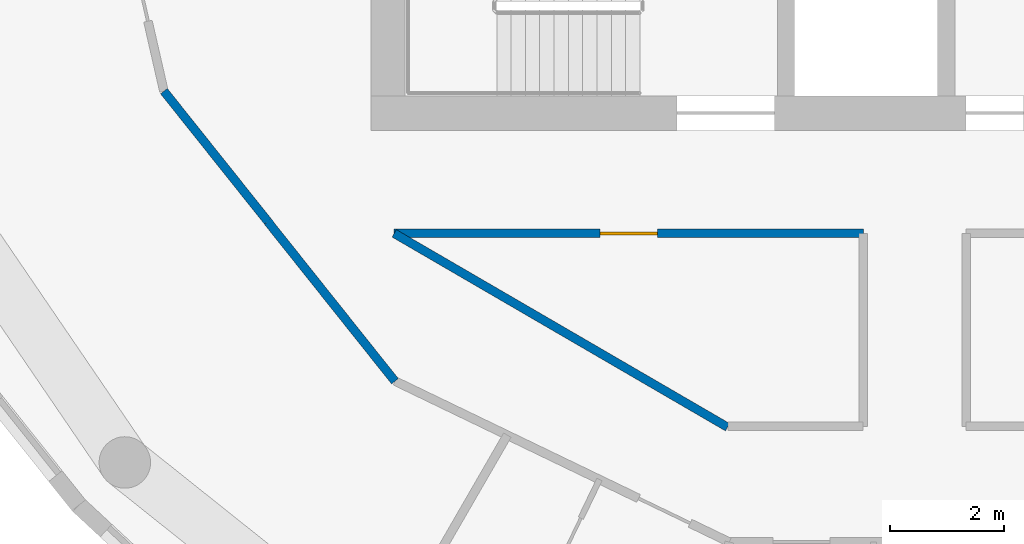
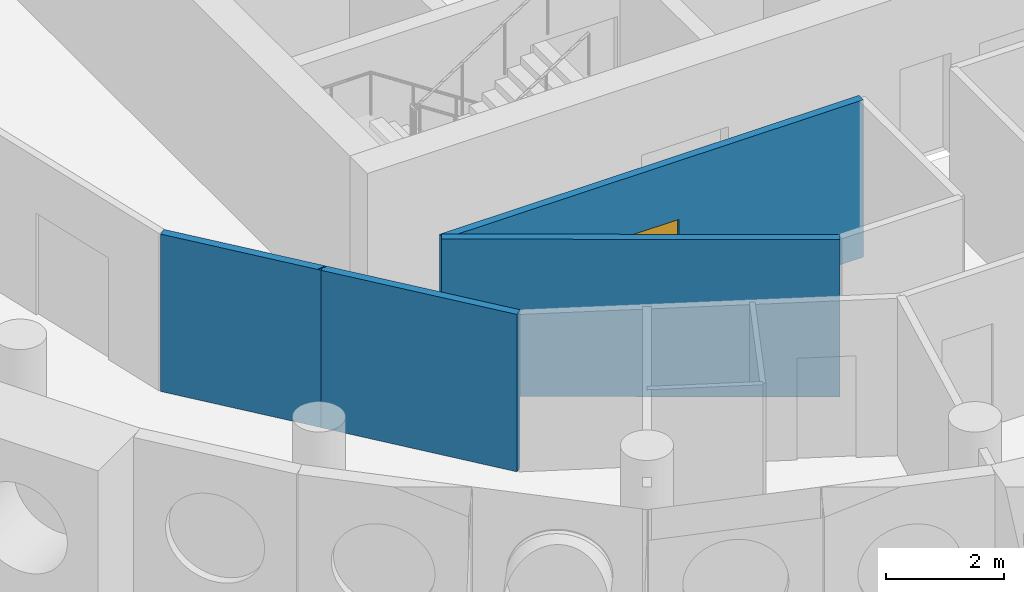
# One storey, part 3 of 13: 5 walls, 1 door, 1 opening.
"""IFC4 building model written with IfcOpenShell, lengths in metres."""

from ifc_helpers import new_model, si_unit, direction, frame, frame_2d, origin, place, context, subcontext, project, spatial, rectangle, extrude, material, layer, layer_set, type_object, element, fill, save


model = new_model("IFC4")

# Units and contexts
model_context = context("Model", 3, precision=1e-05, world=origin(), true_north=direction((0.0, 1.0)))
body_context = subcontext(model_context, "Body", "Model", "MODEL_VIEW")
ifc_project = project(units=[si_unit("LENGTHUNIT", "METRE"), si_unit("AREAUNIT", "SQUARE_METRE"), si_unit("VOLUMEUNIT", "CUBIC_METRE"), si_unit("PLANEANGLEUNIT", "RADIAN"), si_unit("MASSUNIT", "GRAM", prefix="KILO")], contexts=[model_context])

# Site, building, storey
site_placement = place(None, origin())
site = spatial("IfcSite", under=ifc_project, at=site_placement, CompositionType="ELEMENT")
building_placement = place(site_placement, origin())
building = spatial("IfcBuilding", under=site, at=building_placement, Name="Tracery Tower", CompositionType="ELEMENT")
storey_placement = place(building_placement, frame((0.0, 0.0, 319.800048828125)))
storey = spatial("IfcBuildingStorey", under=building, at=storey_placement, Name="L83", CompositionType="ELEMENT", Elevation=319.800048828125)

# Wall, opening, door
ifc_material_1 = material(Name="Plasterboard on steel studs", Category="steel")
ifc_layer = layer(ifc_material_1, 0.14990234375)
ifc_layer_set = layer_set([ifc_layer], Name="Partition 150 corridor wall")
wall_type = type_object("IfcWallType", Name="Partition 150 corridor wall", PredefinedType="PARTITIONING", material=ifc_layer_set)
wall_1_placement = place(storey_placement, frame((-9.092041015625, -8.800048828125, 0.0), z_axis=(0.0, 0.0, 1.0), x_axis=(1.0, 0.0, 0.0)))
wall_1 = element("IfcWall", 1, at=wall_1_placement, inside=storey, type_object=wall_type, Name="Corridor wall RC9-010", PredefinedType="PARTITIONING", context=body_context, shape_type="SweptSolid", body=[
    extrude(rectangle(XDim=8.196044921875, YDim=0.14990234375, at=frame_2d((4.09814453125, 0.0))), origin(), (0.0, 0.0, 1.0), 3.25),
])
opening_placement = place(wall_1_placement, frame((3.597900390625, 0.0, 0.0)))
opening = element("IfcOpeningElement", 2, at=opening_placement, cuts=wall_1, Name="Opening RC9-02", PredefinedType="OPENING", context=body_context, shape_type="SweptSolid", body=[
    extrude(rectangle(XDim=1.0, YDim=2.0400390625, at=frame_2d((0.5, 1.02001953125))), frame((0.0, 0.074951171875, 0.0), z_axis=(0.0, -1.0, 0.0), x_axis=(1.0, 0.0, 0.0)), (0.0, 0.0, 1.0), 0.14990234375),
])
ifc_material_2 = material(Name="Timber door leaf", Category="wood")
door_type = type_object("IfcDoorType", Name="Door communal room 1000", OperationType="NOTDEFINED", PredefinedType="DOOR", material=ifc_material_2)
door_placement = place(opening_placement, origin())
door = element("IfcDoor", 3, at=door_placement, inside=storey, type_object=door_type, Name="Communal room door RC9-02", OperationType="SINGLE_SWING_RIGHT", OverallHeight=2.0400390625, OverallWidth=1.0, PredefinedType="DOOR", context=body_context, shape_type="SweptSolid", body=[
    extrude(rectangle(XDim=1.0, YDim=2.0400390625, at=frame_2d((0.5, 1.02001953125))), frame((0.0, 0.02490234375, 0.0), z_axis=(0.0, -1.0, 0.0), x_axis=(1.0, 0.0, 0.0)), (0.0, 0.0, 1.0), 0.050048828125),
])
fill(opening, door)

# Walls
wall_2_placement = place(storey_placement, frame((-9.092041015625, -8.800048828125, 0.0), z_axis=(0.0, 0.0, 1.0), x_axis=(0.864470922103, -0.502682827277, 0.0)))
element("IfcWall", 4, at=wall_2_placement, inside=storey, type_object=wall_type, Name="Corridor wall RC9-011", PredefinedType="PARTITIONING", context=body_context, shape_type="SweptSolid", body=[
    extrude(rectangle(XDim=6.7353515625, YDim=0.14990234375, at=frame_2d((3.36767578125, 0.0))), origin(), (0.0, 0.0, 1.0), 3.25),
])
wall_3_placement = place(storey_placement, frame((-11.300048828125, -8.59619140625, 0.0), z_axis=(0.0, 0.0, 1.0), x_axis=(0.623165080354, -0.782090328944, 0.0)))
element("IfcWall", 5, at=wall_3_placement, inside=storey, type_object=wall_type, Name="Corridor wall RC9-014", PredefinedType="PARTITIONING", context=body_context, shape_type="SweptSolid", body=[
    extrude(rectangle(XDim=3.56396484375, YDim=0.14990234375, at=frame_2d((1.781982421875, 0.0))), origin(), (0.0, 0.0, 1.0), 3.25),
])
wall_4_placement = place(storey_placement, frame((-11.300048828125, -8.59619140625, 0.0), z_axis=(0.0, 0.0, 1.0), x_axis=(0.0, 1.0, 0.0)))
element("IfcWall", 6, at=wall_4_placement, inside=storey, type_object=wall_type, Name="Corridor wall RC9-016", PredefinedType="PARTITIONING", context=body_context, shape_type="SweptSolid", body=[
    extrude(rectangle(XDim=0.01123046875, YDim=0.14990234375, at=frame_2d((0.005615234375, 0.0))), origin(), (0.0, 0.0, 1.0), 3.25),
])
wall_5_placement = place(storey_placement, frame((-13.114990234375, -6.31591796875, 0.0), z_axis=(0.0, 0.0, 1.0), x_axis=(0.623446514299, -0.781866001185, 0.0)))
element("IfcWall", 7, at=wall_5_placement, inside=storey, type_object=wall_type, Name="Corridor wall RC9-033", PredefinedType="PARTITIONING", context=body_context, shape_type="SweptSolid", body=[
    extrude(rectangle(XDim=2.9111328125, YDim=0.14990234375, at=frame_2d((1.45556640625, 0.0))), origin(), (0.0, 0.0, 1.0), 3.25),
])

save(model, "model.ifc")
